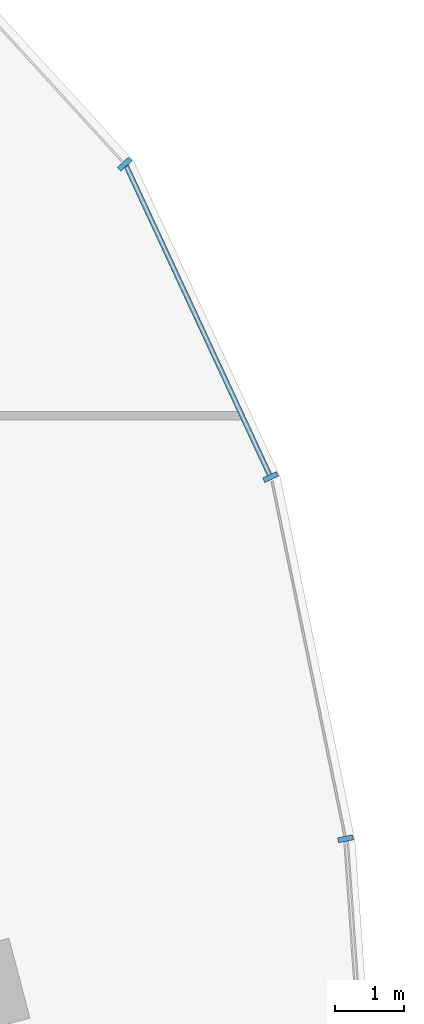
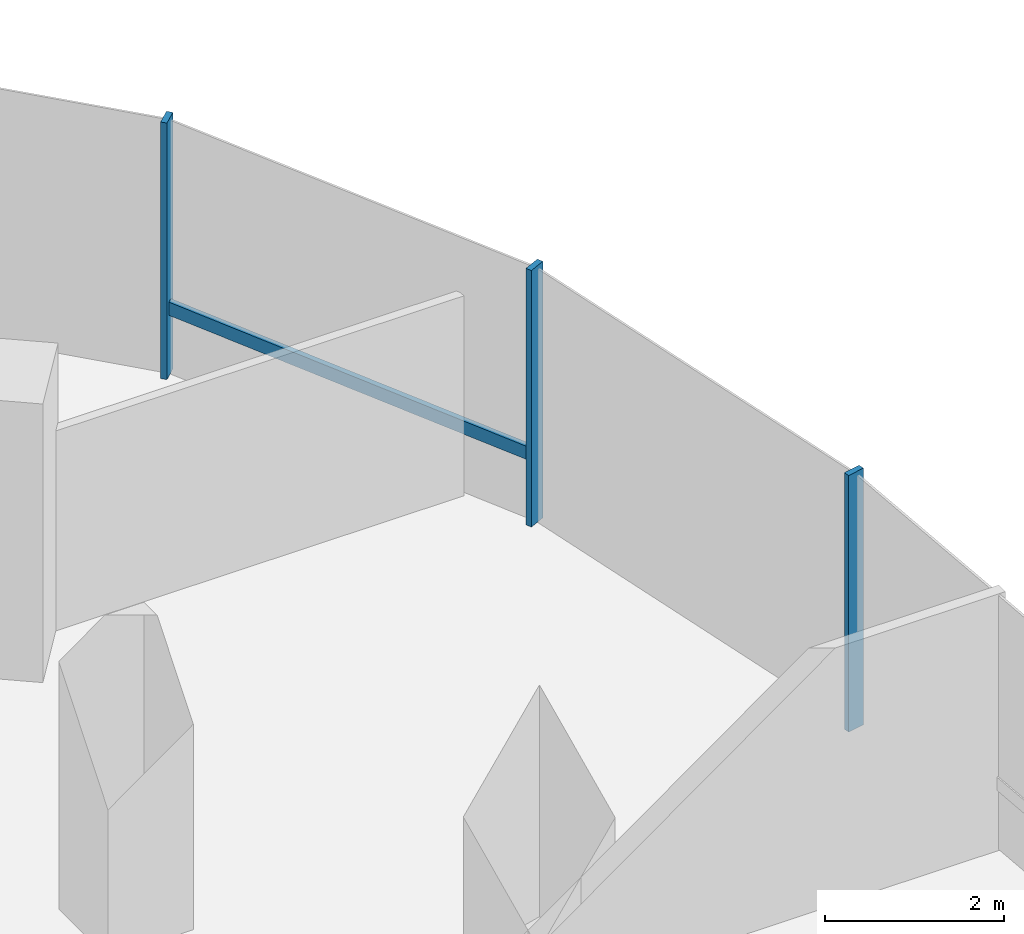
# One storey, part 8 of 21: 4 members, 1 element without a shape of its own.
"""IFC4 building model written with IfcOpenShell, lengths in metres."""

from ifc_helpers import new_model, si_unit, direction, frame, origin, origin_2d, place, context, subcontext, project, spatial, rectangle, extrude, material, material_profile, profile_set, type_object, element, aggregate, save


model = new_model("IFC4")

# Units and contexts
model_context = context("Model", 3, precision=1e-05, world=origin(), true_north=direction((0.0, 1.0)))
body_context = subcontext(model_context, "Body", "Model", "MODEL_VIEW")
ifc_project = project(units=[si_unit("LENGTHUNIT", "METRE"), si_unit("AREAUNIT", "SQUARE_METRE"), si_unit("VOLUMEUNIT", "CUBIC_METRE"), si_unit("PLANEANGLEUNIT", "RADIAN"), si_unit("MASSUNIT", "GRAM", prefix="KILO"), si_unit("THERMODYNAMICTEMPERATUREUNIT", "KELVIN"), si_unit("POWERUNIT", "WATT")], contexts=[model_context])

# Site, building, storey
site_placement = place(None, origin())
site = spatial("IfcSite", under=ifc_project, at=site_placement, CompositionType="ELEMENT")
building_placement = place(site_placement, origin())
building = spatial("IfcBuilding", under=site, at=building_placement, Name="Cundina Bronze Exchange", CompositionType="ELEMENT")
storey_placement = place(building_placement, frame((0.0, 0.0, 58.199951171875)))
storey = spatial("IfcBuildingStorey", under=building, at=storey_placement, Name="L14", CompositionType="ELEMENT", Elevation=58.199951171875)

# Curtain wall, members
ifc_material = material(Name="Anodised Bronze Aluminium 6063-T6", Category="aluminium")
curtain_wall_type = type_object("IfcCurtainWallType", Name="CWS-TRD-LOW", PredefinedType="NOTDEFINED", material=ifc_material)
curtain_wall_placement = place(storey_placement, origin())
curtain_wall = element("IfcCurtainWall", 1, at=curtain_wall_placement, inside=storey, type_object=curtain_wall_type, Name="L14 CW-02 Curtain Wall Run CWR-L14-E1", PredefinedType="NOTDEFINED")
ifc_material_profile_1 = material_profile(ifc_material, rectangle(XDim=0.074951171875, YDim=0.219970703125, at=origin_2d()), Name="AL75X220", Category="aluminium")
ifc_profile_set_1 = profile_set([ifc_material_profile_1], Name="Anodised Bronze Aluminium 6063-T6")
member_type_1 = type_object("IfcMemberType", Name="CWM-MUL-220", PredefinedType="MULLION", material=ifc_profile_set_1)
member_1_placement = place(storey_placement, frame((50.717041015625, 8.67822265625, 0.0), z_axis=(0.0, 0.0, 1.0), x_axis=(-0.201419845156, 0.979505000486, 0.0)))
member_1 = element("IfcMember", 2, at=member_1_placement, type_object=member_type_1, Name="CW-02 Mullion 2", PredefinedType="MULLION", context=body_context, shape_type="SweptSolid", body=[
    extrude(rectangle(XDim=0.074951171875, YDim=0.219970703125, at=origin_2d()), origin(), (0.0, 0.0, 1.0), 3.5),
])
member_2_placement = place(storey_placement, frame((49.6279296875, 13.931884765625, 0.0), z_axis=(0.0, 0.0, 1.0), x_axis=(-0.42087749791, 0.907117485088, 0.0)))
member_2 = element("IfcMember", 3, at=member_2_placement, type_object=member_type_1, Name="CW-02 Mullion 3", PredefinedType="MULLION", context=body_context, shape_type="SweptSolid", body=[
    extrude(rectangle(XDim=0.074951171875, YDim=0.219970703125, at=origin_2d()), origin(), (0.0, 0.0, 1.0), 3.5),
])
member_3_placement = place(storey_placement, frame((47.508544921875, 18.47705078125, 0.0), z_axis=(0.0, 0.0, 1.0), x_axis=(-0.674302387584, 0.738455340626, 0.0)))
member_3 = element("IfcMember", 4, at=member_3_placement, type_object=member_type_1, Name="CW-02 Mullion 4", PredefinedType="MULLION", context=body_context, shape_type="SweptSolid", body=[
    extrude(rectangle(XDim=0.074951171875, YDim=0.219970703125, at=origin_2d()), origin(), (0.0, 0.0, 1.0), 3.5),
])
ifc_material_profile_2 = material_profile(ifc_material, rectangle(XDim=0.070068359375, YDim=0.179931640625, at=origin_2d()), Name="AL70X180", Category="aluminium")
ifc_profile_set_2 = profile_set([ifc_material_profile_2], Name="Anodised Bronze Aluminium 6063-T6")
member_type_2 = type_object("IfcMemberType", Name="CWM-TRN-180", PredefinedType="USERDEFINED", material=ifc_profile_set_2)
member_4_placement = place(storey_placement, frame((49.610595703125, 13.96923828125, 0.920166015625), z_axis=(-0.420811422796, 0.907148139195, 0.0), x_axis=(-0.907148139195, -0.420811422796, 0.0)))
member_4 = element("IfcMember", 5, at=member_4_placement, type_object=member_type_2, Name="CW-02 Spandrel Transom 3", ObjectType="TRANSOM", PredefinedType="USERDEFINED", context=body_context, shape_type="SweptSolid", body=[
    extrude(rectangle(XDim=0.070068359375, YDim=0.179931640625, at=origin_2d()), origin(), (0.0, 0.0, 1.0), 4.95166015625),
])
aggregate(curtain_wall, [member_1, member_2, member_4, member_3])

save(model, "model.ifc")
